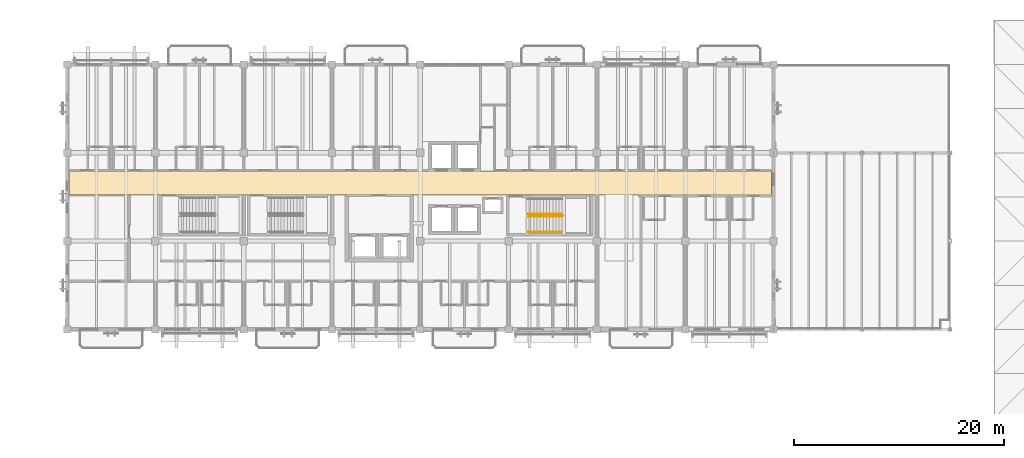
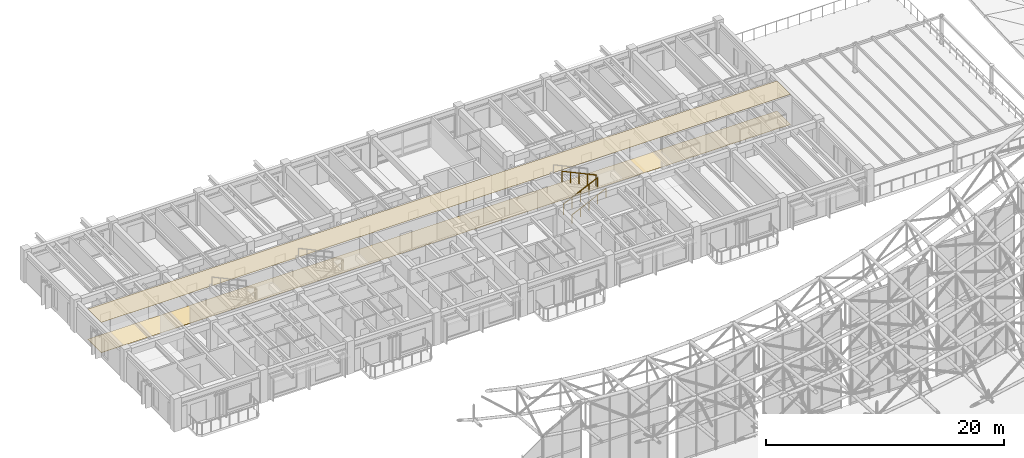
# One storey, part 91 of 93: 3 railings, 2 coverings.
"""IFC4 building model written with IfcOpenShell, lengths in metres."""

from ifc_helpers import new_model, si_unit, direction, frame, origin, origin_2d, place, context, subcontext, project, spatial, polyline, circle, outline, extrude, material, layer, layer_set, type_object, element, save


model = new_model("IFC4")

# Units and contexts
model_context = context("Model", 3, precision=1e-05, world=origin(), true_north=direction((0.0, 1.0)))
body_context = subcontext(model_context, "Body", "Model", "MODEL_VIEW")
ifc_project = project(units=[si_unit("LENGTHUNIT", "METRE"), si_unit("AREAUNIT", "SQUARE_METRE"), si_unit("VOLUMEUNIT", "CUBIC_METRE"), si_unit("PLANEANGLEUNIT", "RADIAN"), si_unit("MASSUNIT", "GRAM", prefix="KILO")], contexts=[model_context])

# Site, building, storey
site_placement = place(None, origin())
site = spatial("IfcSite", under=ifc_project, at=site_placement, CompositionType="ELEMENT")
building_placement = place(site_placement, origin())
building = spatial("IfcBuilding", under=site, at=building_placement, Name="Cumbredor Promenade Congress Hotel", CompositionType="ELEMENT")
storey_placement = place(building_placement, frame((0.0, 0.0, 21.840087890625)))
storey = spatial("IfcBuildingStorey", under=building, at=storey_placement, Name="L06", CompositionType="ELEMENT", Elevation=21.840087890625)

# Covering
ifc_material_1 = material(Name="Acoustic mineral-fiber and gypsum ceiling")
ifc_layer_1 = layer(ifc_material_1, 0.01806640625, Name="Acoustic mineral-fiber and gypsum ceiling")
ifc_layer_set_1 = layer_set([ifc_layer_1], Name="Acoustic mineral-fiber and gypsum ceiling")
covering_type_1 = type_object("IfcCoveringType", Name="Acoustic Perforated Gypsum Ceiling CLG-01 18mm", PredefinedType="CEILING", material=ifc_layer_set_1)
covering_1_placement = place(storey_placement, frame((0.0, 0.0, 3.101806640625)))
element("IfcCovering", 1, at=covering_1_placement, inside=storey, type_object=covering_type_1, Name="L06 Hotel Guest Corridor Acoustic Ceiling", PredefinedType="CEILING", context=body_context, shape_type="SweptSolid", body=[
    extrude(outline(polyline([(67.030029296875, 105.179931640625), (67.030029296875, 107.469970703125), (0.169921875, 107.469970703125), (0.169921875, 105.179931640625), (67.030029296875, 105.179931640625)])), origin(), (0.0, 0.0, 1.0), 0.01806640625),
])

# Railings
ifc_material_2 = material(Name="Brushed stainless steel", Category="steel")
railing_type_1 = type_object("IfcRailingType", Name="Interior Void & Stair Guardrail GR-1100", PredefinedType="GUARDRAIL", material=ifc_material_2)
railing_1_placement = place(storey_placement, frame((43.800048828125, 103.1201171875, 0.139892578125)))
element("IfcRailing", 2, at=railing_1_placement, inside=storey, type_object=railing_type_1, Name="L06 ST-03 stair guard 1", PredefinedType="GUARDRAIL", context=body_context, shape_type="SweptSolid", body=[
    extrude(circle(Radius=0.02392578125, at=origin_2d()), frame((0.0, 0.0, 1.09619140625), z_axis=(0.906181427284, 0.0, 0.422889135408), x_axis=(0.0, 1.0, 0.0)), (0.0, 0.0, 1.0), 3.6416015625),
    extrude(circle(Radius=0.02099609375, at=origin_2d()), origin(), (0.0, 0.0, 1.0), 1.072021484375),
    extrude(circle(Radius=0.02099609375, at=origin_2d()), frame((0.824951171875, 0.0, 0.385009765625)), (0.0, 0.0, 1.0), 1.072021484375),
    extrude(circle(Radius=0.02099609375, at=origin_2d()), frame((1.64990234375, 0.0, 0.77001953125)), (0.0, 0.0, 1.0), 1.072021484375),
    extrude(circle(Radius=0.02099609375, at=origin_2d()), frame((2.47509765625, 0.0, 1.155029296875)), (0.0, 0.0, 1.0), 1.072021484375),
    extrude(circle(Radius=0.02099609375, at=origin_2d()), frame((3.300048828125, 0.0, 1.5400390625)), (0.0, 0.0, 1.0), 1.072021484375),
])
railing_2_placement = place(storey_placement, frame((47.10009765625, 103.3701171875, 1.81982421875)))
element("IfcRailing", 3, at=railing_2_placement, inside=storey, type_object=railing_type_1, Name="L06 ST-03 stair guard 3", PredefinedType="GUARDRAIL", context=body_context, shape_type="SweptSolid", body=[
    extrude(circle(Radius=0.02392578125, at=origin_2d()), frame((0.0, 0.0, 1.09619140625), z_axis=(-0.906181427284, 0.0, 0.422889135408), x_axis=(0.0, -1.0, 0.0)), (0.0, 0.0, 1.0), 3.6416015625),
    extrude(circle(Radius=0.02099609375, at=origin_2d()), origin(), (0.0, 0.0, 1.0), 1.072021484375),
    extrude(circle(Radius=0.02099609375, at=origin_2d()), frame((-0.824951171875, 0.0, 0.385009765625)), (0.0, 0.0, 1.0), 1.072021484375),
    extrude(circle(Radius=0.02099609375, at=origin_2d()), frame((-1.64990234375, 0.0, 0.77001953125)), (0.0, 0.0, 1.0), 1.072021484375),
    extrude(circle(Radius=0.02099609375, at=origin_2d()), frame((-2.47509765625, 0.0, 1.155029296875)), (0.0, 0.0, 1.0), 1.072021484375),
    extrude(circle(Radius=0.02099609375, at=origin_2d()), frame((-3.300048828125, 0.0, 1.5400390625)), (0.0, 0.0, 1.0), 1.072021484375),
])

# Covering
ifc_material_3 = material(Name="Porcelain stoneware tile", Category="masonry")
ifc_layer_2 = layer(ifc_material_3, 0.02490234375, Name="Porcelain stoneware tile", Category="masonry")
ifc_layer_set_2 = layer_set([ifc_layer_2], Name="Porcelain stoneware tile")
covering_type_2 = type_object("IfcCoveringType", Name="Porcelain Stoneware Flooring FLR-02 25mm", PredefinedType="FLOORING", material=ifc_layer_set_2)
covering_2_placement = place(storey_placement, origin())
element("IfcCovering", 4, at=covering_2_placement, inside=storey, type_object=covering_type_2, Name="L06 Hotel Guest Corridor Porcelain Flooring", PredefinedType="FLOORING", context=body_context, shape_type="SweptSolid", body=[
    extrude(outline(polyline([(67.030029296875, 105.179931640625), (67.030029296875, 107.469970703125), (0.169921875, 107.469970703125), (0.169921875, 105.179931640625), (67.030029296875, 105.179931640625)])), origin(), (0.0, 0.0, 1.0), 0.02490234375),
])

# Railing
railing_type_2 = type_object("IfcRailingType", Name="Stair Pitch Handrail HR-900", PredefinedType="HANDRAIL", material=ifc_material_2)
railing_3_placement = place(storey_placement, frame((43.800048828125, 101.669921875, 0.139892578125)))
element("IfcRailing", 5, at=railing_3_placement, inside=storey, type_object=railing_type_2, Name="L06 ST-03 stair handrail 1", PredefinedType="HANDRAIL", context=body_context, shape_type="SweptSolid", body=[
    extrude(circle(Radius=0.02392578125, at=origin_2d()), frame((0.0, 0.0, 0.8759765625), z_axis=(0.906181427284, 0.0, 0.422889135408), x_axis=(0.0, 1.0, 0.0)), (0.0, 0.0, 1.0), 3.6416015625),
    extrude(circle(Radius=0.02099609375, at=origin_2d()), origin(), (0.0, 0.0, 1.0), 0.851806640625),
    extrude(circle(Radius=0.02099609375, at=origin_2d()), frame((0.824951171875, 0.0, 0.385009765625)), (0.0, 0.0, 1.0), 0.851806640625),
    extrude(circle(Radius=0.02099609375, at=origin_2d()), frame((1.64990234375, 0.0, 0.77001953125)), (0.0, 0.0, 1.0), 0.851806640625),
    extrude(circle(Radius=0.02099609375, at=origin_2d()), frame((2.47509765625, 0.0, 1.155029296875)), (0.0, 0.0, 1.0), 0.851806640625),
    extrude(circle(Radius=0.02099609375, at=origin_2d()), frame((3.300048828125, 0.0, 1.5400390625)), (0.0, 0.0, 1.0), 0.851806640625),
])

save(model, "model.ifc")
